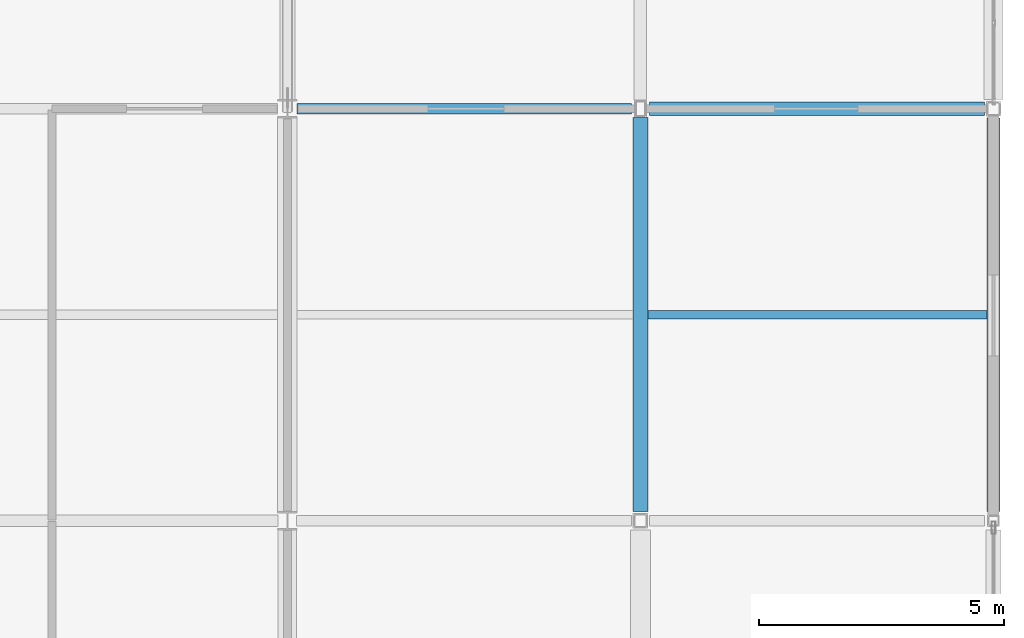
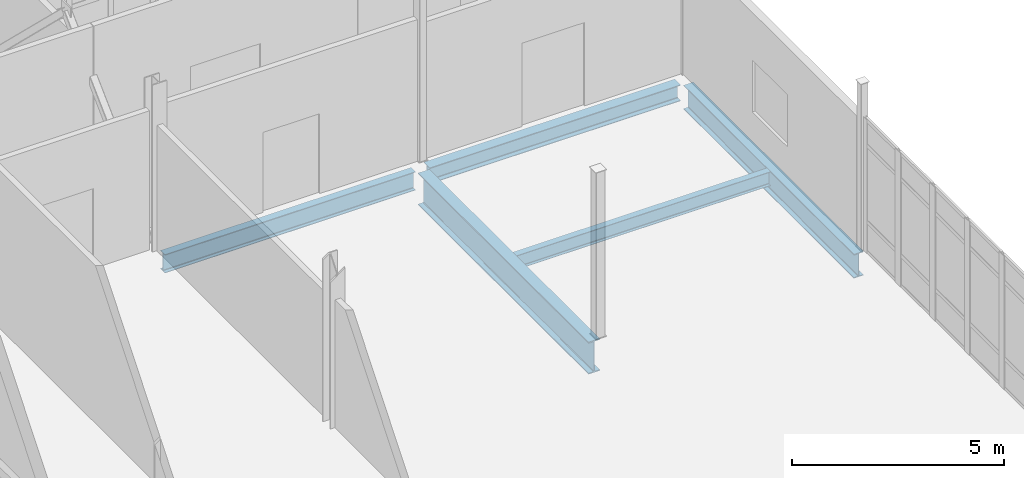
# One storey, part 84 of 153: 5 beams.
"""IFC4 building model written with IfcOpenShell, lengths in metres."""

import ifcopenshell
import ifcopenshell.guid

model = None  # the IFC model being written
_history = None  # IfcOwnerHistory: only IFC2X3 demands one
_inside = {}  # id of a spatial element -> (the spatial element, [elements in it])
_under = {}  # id of a project, library or spatial element -> (it, [spatial elements below it])
_declared = {}  # id of a project -> (the project, [libraries it declares])
_typed = {}  # id of a type object -> (the type object, [elements of that type])
_made_of = {}  # id of a material, layer set ... -> (it, [elements and type objects made of it])


def new_model(schema):
    """Start an empty IFC model of exactly this schema.

    Asked for "IFC4X3", IfcOpenShell would pick the latest addendum, in which some entities
    have other attributes; the version numbers below select the first issue.
    IFC2X3 requires an IfcOwnerHistory on every rooted entity: one is made here for all.
    """
    global model, _history
    if schema == "IFC4X3":
        model = ifcopenshell.file(schema_version=(4, 3, 0, 0))
    else:
        model = ifcopenshell.file(schema=schema)
    _inside.clear()
    _under.clear()
    _declared.clear()
    _typed.clear()
    _made_of.clear()
    _history = None
    if model.schema == "IFC2X3":
        org = make("IfcOrganization", Name="unknown")
        user = make(
            "IfcPersonAndOrganization",
            ThePerson=make("IfcPerson", FamilyName="unknown"),
            TheOrganization=org,
        )
        app = make(
            "IfcApplication",
            ApplicationDeveloper=org,
            Version="unknown",
            ApplicationFullName="unknown",
            ApplicationIdentifier="unknown",
        )
        _history = make(
            "IfcOwnerHistory",
            OwningUser=user,
            OwningApplication=app,
            ChangeAction="ADDED",
            CreationDate=0,
        )
    return model


def make(cls, **values):
    """One entity of the class cls with the attributes given. An attribute that is None is left unset."""
    return model.create_entity(
        cls, **{name: value for name, value in values.items() if value is not None}
    )


def rooted(cls, **values):
    """An entity with a GlobalId (a new one), such as an element, a storey or a relation."""
    return make(cls, GlobalId=ifcopenshell.guid.new(), OwnerHistory=_history, **values)


def si_unit(unit_type, name, prefix=None):
    """IfcSIUnit, for example si_unit("LENGTHUNIT", "METRE", prefix="MILLI")."""
    return make("IfcSIUnit", UnitType=unit_type, Prefix=prefix, Name=name)


def assignment(units):
    """IfcUnitAssignment: the units of a project."""
    return None if units is None else make("IfcUnitAssignment", Units=units)


def point(xyz):
    """IfcCartesianPoint."""
    return None if xyz is None else make("IfcCartesianPoint", Coordinates=xyz)


def direction(xyz):
    """IfcDirection."""
    return None if xyz is None else make("IfcDirection", DirectionRatios=xyz)


def frame(location, z_axis=None, x_axis=None):
    """IfcAxis2Placement3D, a coordinate frame: its origin and axes. An axis left out is left unset."""
    return make(
        "IfcAxis2Placement3D",
        Location=point(location),
        Axis=direction(z_axis),
        RefDirection=direction(x_axis),
    )


def frame_2d(location, x_axis=None):
    """IfcAxis2Placement2D, a coordinate frame in the plane: its origin and x axis."""
    return make(
        "IfcAxis2Placement2D", Location=point(location), RefDirection=direction(x_axis)
    )


def origin():
    """The frame at (0, 0, 0) with its axes left unset."""
    return frame((0.0, 0.0, 0.0))


def origin_2d():
    """The frame at (0, 0) in the plane with its x axis left unset."""
    return frame_2d((0.0, 0.0))


def place(relative_to, where):
    """IfcLocalPlacement: puts the frame where relative to a parent placement (None: the world)."""
    return make(
        "IfcLocalPlacement", PlacementRelTo=relative_to, RelativePlacement=where
    )


def context(
    kind, dimensions, precision=None, world=None, true_north=None, identifier=None
):
    """IfcGeometricRepresentationContext, for example the 3D "Model" context."""
    return make(
        "IfcGeometricRepresentationContext",
        ContextIdentifier=identifier,
        ContextType=kind,
        CoordinateSpaceDimension=dimensions,
        Precision=precision,
        WorldCoordinateSystem=world,
        TrueNorth=true_north,
    )


def subcontext(parent, identifier, kind, view, scale=None):
    """IfcGeometricRepresentationSubContext, for example "Body" below "Model"."""
    return make(
        "IfcGeometricRepresentationSubContext",
        ContextIdentifier=identifier,
        ContextType=kind,
        ParentContext=parent,
        TargetScale=scale,
        TargetView=view,
    )


def project(units=None, contexts=None):
    """IfcProject with its units and contexts."""
    return rooted(
        "IfcProject",
        Name="project",
        RepresentationContexts=contexts,
        UnitsInContext=assignment(units),
    )


def spatial(cls, under=None, at=None, **own):
    """A site, building, storey or space (cls), placed at a placement, below another one or the project."""
    s = rooted(cls, ObjectPlacement=at, **own)
    if under is not None:
        _under.setdefault(under.id(), (under, []))[1].append(s)
    return s


def profile(cls, at=None, kind="AREA", **sizes):
    """A parametric profile (cls). Its sizes go by their IFC names, for example OverallWidth=200.0."""
    return make(cls, ProfileType=kind, Position=at, **sizes)


def i_section(**sizes):
    """IfcIShapeProfileDef."""
    return profile("IfcIShapeProfileDef", **sizes)


def extrude(swept, where, along, depth):
    """IfcExtrudedAreaSolid: the profile swept, set in the frame where, extruded along a direction by depth."""
    return make(
        "IfcExtrudedAreaSolid",
        SweptArea=swept,
        Position=where,
        ExtrudedDirection=direction(along),
        Depth=depth,
    )


def shape(context_of_items, identifier, shape_type, items):
    """IfcShapeRepresentation: the items that make up one representation, for example the "Body"."""
    return make(
        "IfcShapeRepresentation",
        ContextOfItems=context_of_items,
        RepresentationIdentifier=identifier,
        RepresentationType=shape_type,
        Items=items,
    )


def material(Name=None, Category=None):
    """IfcMaterial."""
    return make("IfcMaterial", Name=Name, Category=Category)


def material_profile(
    of_material, cross_section, Name=None, Category=None, Priority=None
):
    """IfcMaterialProfile: a cross section and its material."""
    return make(
        "IfcMaterialProfile",
        Name=Name,
        Material=of_material,
        Profile=cross_section,
        Priority=Priority,
        Category=Category,
    )


def profile_set(profiles, Name=None, composite=None):
    """IfcMaterialProfileSet."""
    return make(
        "IfcMaterialProfileSet",
        Name=Name,
        MaterialProfiles=profiles,
        CompositeProfile=composite,
    )


def made_of(thing, what):
    """Note that an element or type object is made of a material, layer set ...; save() writes the relation."""
    if what is not None:
        _made_of.setdefault(what.id(), (what, []))[1].append(thing)
    return thing


def type_object(cls, material=None, **own):
    """A type object (cls), such as IfcWallType, which elements share."""
    return made_of(rooted(cls, **own), material)


def element(
    cls,
    number,
    at=None,
    inside=None,
    cuts=None,
    type_object=None,
    material=None,
    context=None,
    identifier="Body",
    shape_type=None,
    held_by="IfcProductDefinitionShape",
    body=None,
    shapes=None,
    **own,
):
    """One element of the class cls, such as IfcWall. Its Tag is "e" and its number.

    at: its placement. inside: the storey or other place that contains it. cuts: it is an
    opening in that element (IfcRelVoidsElement). A single representation is given by context,
    identifier, shape_type and body (its items); several are given by shapes. held_by: the class
    of the entity that holds the representations. save() writes the other relations.
    """
    e = rooted(cls, Tag="e%d" % number, ObjectPlacement=at, **own)
    if body is not None:
        shapes = [shape(context, identifier, shape_type, body)]
    if shapes is not None:
        e.Representation = make(held_by, Representations=shapes)
    if inside is not None:
        _inside.setdefault(inside.id(), (inside, []))[1].append(e)
    if cuts is not None:
        rooted(
            "IfcRelVoidsElement", RelatingBuildingElement=cuts, RelatedOpeningElement=e
        )
    if type_object is not None:
        _typed.setdefault(type_object.id(), (type_object, []))[1].append(e)
    return made_of(e, material)


def aggregate(whole, parts):
    """IfcRelAggregates: a whole, such as a stair, and the parts it consists of."""
    return rooted("IfcRelAggregates", RelatingObject=whole, RelatedObjects=parts)


def save(model, path):
    """Write the relations noted so far, then the file.

    IfcRelAggregates (storeys below a building ...), IfcRelContainedInSpatialStructure (elements
    in a storey), IfcRelDefinesByType, IfcRelAssociatesMaterial and IfcRelDeclares: one each for
    every whole, place, type object, material and project.
    """
    for whole, parts in _under.values():
        aggregate(whole, parts)
    for where, things in _inside.values():
        rooted(
            "IfcRelContainedInSpatialStructure",
            RelatedElements=things,
            RelatingStructure=where,
        )
    for kind, things in _typed.values():
        rooted("IfcRelDefinesByType", RelatedObjects=things, RelatingType=kind)
    for what, things in _made_of.values():
        rooted("IfcRelAssociatesMaterial", RelatedObjects=things, RelatingMaterial=what)
    for by, libraries in _declared.values():
        rooted("IfcRelDeclares", RelatingContext=by, RelatedDefinitions=libraries)
    model.write(path)


model = new_model("IFC4")

# Units and contexts
model_context = context("Model", 3, precision=1e-05, world=origin(), true_north=direction((0.0, 1.0)))
body_context = subcontext(model_context, "Body", "Model", "MODEL_VIEW")
ifc_project = project(units=[si_unit("LENGTHUNIT", "METRE"), si_unit("AREAUNIT", "SQUARE_METRE"), si_unit("VOLUMEUNIT", "CUBIC_METRE"), si_unit("PLANEANGLEUNIT", "RADIAN"), si_unit("MASSUNIT", "GRAM", prefix="KILO")], contexts=[model_context])

# Site, building, storey
site_placement = place(None, origin())
site = spatial("IfcSite", under=ifc_project, at=site_placement, CompositionType="ELEMENT")
building_placement = place(site_placement, origin())
building = spatial("IfcBuilding", under=site, at=building_placement, Name="Calvrana Isthmian Art Gallery", CompositionType="ELEMENT")
storey_placement = place(building_placement, frame((0.0, 0.0, 10.199951171875)))
storey = spatial("IfcBuildingStorey", under=building, at=storey_placement, Name="L02", CompositionType="ELEMENT", Elevation=10.199951171875)

# Beams
ifc_material = material(Name="Steel ASTM A992 Gr 50", Category="steel")
ifc_material_profile_1 = material_profile(ifc_material, i_section(OverallWidth=0.279052734375, OverallDepth=0.4619140625, WebThickness=0.0107421875, FlangeThickness=0.017333984375, FilletRadius=0.02001953125, at=origin_2d()), Name="W18X76")
ifc_profile_set_1 = profile_set([ifc_material_profile_1], Name="Steel ASTM A992 Gr 50")
beam_type_1 = type_object("IfcBeamType", Name="BM-G-W18X76", PredefinedType="BEAM", material=ifc_profile_set_1)
beam_1_placement = place(storey_placement, frame((148.98388671875, 38.39990234375, -0.495849609375), z_axis=(1.0, 0.0, 0.0), x_axis=(0.0, 1.0, 0.0)))
element("IfcBeam", 1, at=beam_1_placement, inside=storey, type_object=beam_type_1, Name="Girder X L02 20-21/F", PredefinedType="BEAM", context=body_context, shape_type="SweptSolid", body=[
    extrude(i_section(OverallWidth=0.279052734375, OverallDepth=0.4619140625, WebThickness=0.0107421875, FlangeThickness=0.017333984375, FilletRadius=0.02001953125, at=origin_2d()), origin(), (0.0, 0.0, 1.0), 6.82958984375),
])
ifc_material_profile_2 = material_profile(ifc_material, i_section(OverallWidth=0.208984375, OverallDepth=0.532958984375, WebThickness=0.01025390625, FlangeThickness=0.015625, FilletRadius=0.02099609375, at=origin_2d()), Name="W21X62")
ifc_profile_set_2 = profile_set([ifc_material_profile_2], Name="Steel ASTM A992 Gr 50")
beam_type_2 = type_object("IfcBeamType", Name="BM-G-W21X62", PredefinedType="BEAM", material=ifc_profile_set_2)
beam_2_placement = place(storey_placement, frame((141.797119140625, 38.39990234375, -0.531494140625), z_axis=(1.0, 0.0, 0.0), x_axis=(0.0, 1.0, 0.0)))
element("IfcBeam", 2, at=beam_2_placement, inside=storey, type_object=beam_type_2, Name="Girder X L02 19-20/F", PredefinedType="BEAM", context=body_context, shape_type="SweptSolid", body=[
    extrude(i_section(OverallWidth=0.208984375, OverallDepth=0.532958984375, WebThickness=0.01025390625, FlangeThickness=0.015625, FilletRadius=0.02099609375, at=origin_2d()), origin(), (0.0, 0.0, 1.0), 6.81884765625),
])
ifc_material_profile_3 = material_profile(ifc_material, i_section(OverallWidth=0.257080078125, OverallDepth=0.693115234375, WebThickness=0.014404296875, FlangeThickness=0.023681640625, FilletRadius=0.02392578125, at=origin_2d()), Name="W27X114")
ifc_profile_set_3 = profile_set([ifc_material_profile_3], Name="Steel ASTM A992 Gr 50")
beam_type_3 = type_object("IfcBeamType", Name="BM-G-W27X114", PredefinedType="BEAM", material=ifc_profile_set_3)
beam_3_placement = place(storey_placement, frame((156.0, 30.18408203125, -0.611572265625), z_axis=(0.0, 1.0, 0.0), x_axis=(-1.0, 0.0, 0.0)))
element("IfcBeam", 3, at=beam_3_placement, inside=storey, type_object=beam_type_3, Name="Girder Y L02 21/E-F", PredefinedType="BEAM", context=body_context, shape_type="SweptSolid", body=[
    extrude(i_section(OverallWidth=0.257080078125, OverallDepth=0.693115234375, WebThickness=0.014404296875, FlangeThickness=0.023681640625, FilletRadius=0.02392578125, at=origin_2d()), origin(), (0.0, 0.0, 1.0), 8.029296875),
])
ifc_material_profile_4 = material_profile(ifc_material, i_section(OverallWidth=0.306884765625, OverallDepth=0.927001953125, WebThickness=0.019287109375, FlangeThickness=0.031982421875, FilletRadius=0.028076171875, at=origin_2d()), Name="W36X194")
ifc_profile_set_4 = profile_set([ifc_material_profile_4], Name="Steel ASTM A992 Gr 50")
beam_type_4 = type_object("IfcBeamType", Name="BM-G-W36X194", PredefinedType="BEAM", material=ifc_profile_set_4)
beam_4_placement = place(storey_placement, frame((148.800048828125, 30.1865234375, -0.728515625), z_axis=(0.0, 1.0, 0.0), x_axis=(-1.0, 0.0, 0.0)))
element("IfcBeam", 4, at=beam_4_placement, inside=storey, type_object=beam_type_4, Name="Girder Y L02 20/E-F", PredefinedType="BEAM", context=body_context, shape_type="SweptSolid", body=[
    extrude(i_section(OverallWidth=0.306884765625, OverallDepth=0.927001953125, WebThickness=0.019287109375, FlangeThickness=0.031982421875, FilletRadius=0.028076171875, at=origin_2d()), origin(), (0.0, 0.0, 1.0), 8.035400390625),
])
ifc_material_profile_5 = material_profile(ifc_material, i_section(OverallWidth=0.177978515625, OverallDepth=0.404052734375, WebThickness=0.007568359375, FlangeThickness=0.010986328125, FilletRadius=0.01806640625, at=origin_2d()), Name="W16X36")
ifc_profile_set_5 = profile_set([ifc_material_profile_5], Name="Steel ASTM A992 Gr 50")
beam_type_5 = type_object("IfcBeamType", Name="BM-J-W16X36", PredefinedType="JOIST", material=ifc_profile_set_5)
beam_5_placement = place(storey_placement, frame((148.95361328125, 34.199951171875, -0.467041015625), z_axis=(1.0, 0.0, 0.0), x_axis=(0.0, 1.0, 0.0)))
element("IfcBeam", 5, at=beam_5_placement, inside=storey, type_object=beam_type_5, Name="Composite joist L02 bay 19-04", PredefinedType="JOIST", context=body_context, shape_type="SweptSolid", body=[
    extrude(i_section(OverallWidth=0.177978515625, OverallDepth=0.404052734375, WebThickness=0.007568359375, FlangeThickness=0.010986328125, FilletRadius=0.01806640625, at=origin_2d()), origin(), (0.0, 0.0, 1.0), 6.91796875),
])

save(model, "model.ifc")
